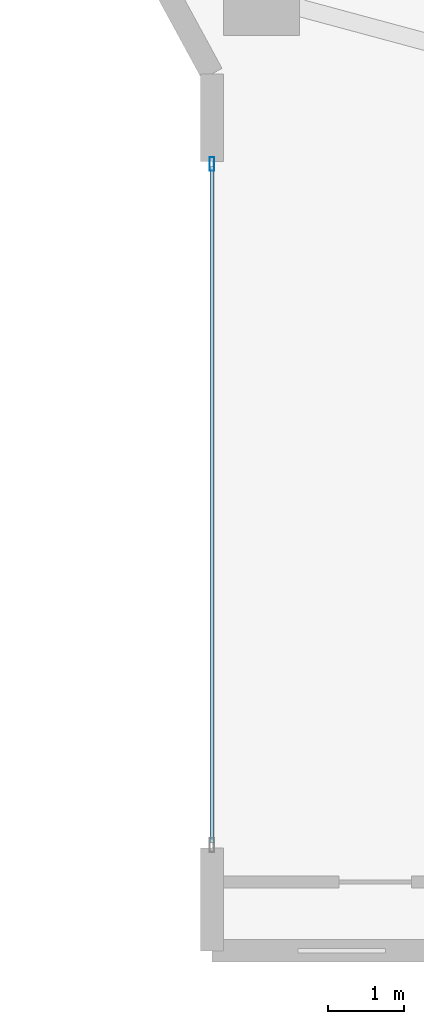
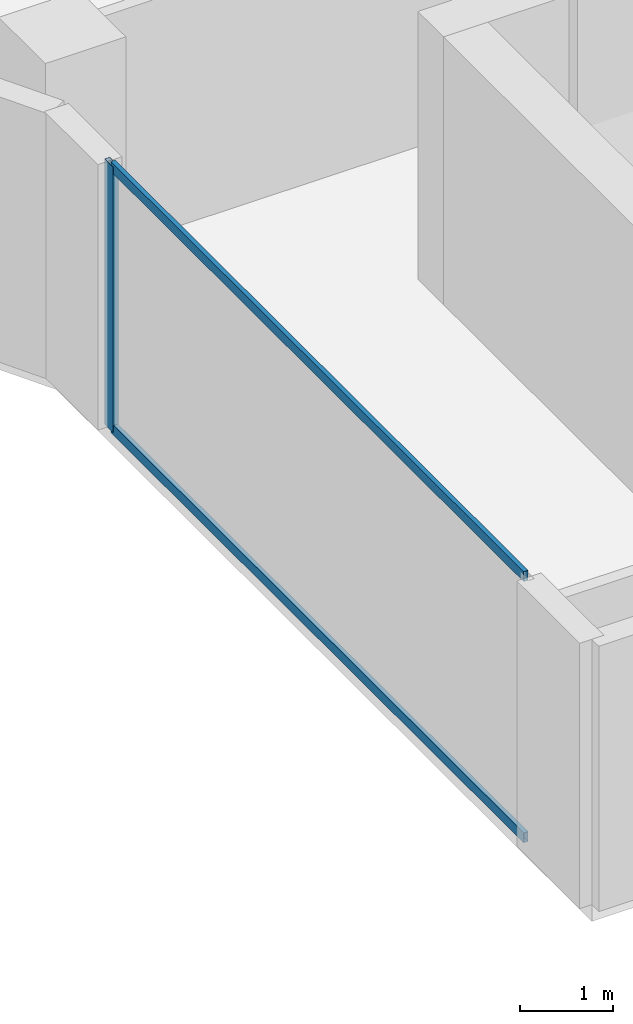
# One storey, part 3 of 24: 3 members, 1 element without a shape of its own.
"""IFC4 building model written with IfcOpenShell, lengths in metres."""

from ifc_helpers import new_model, si_unit, direction, frame, origin, origin_2d, place, context, subcontext, project, spatial, hollow_rectangle, extrude, material, layer, layer_set, material_profile, profile_set, type_object, element, aggregate, save


model = new_model("IFC4")

# Units and contexts
model_context = context("Model", 3, precision=1e-05, world=origin(), true_north=direction((0.0, 1.0)))
body_context = subcontext(model_context, "Body", "Model", "MODEL_VIEW")
ifc_project = project(units=[si_unit("LENGTHUNIT", "METRE"), si_unit("AREAUNIT", "SQUARE_METRE"), si_unit("VOLUMEUNIT", "CUBIC_METRE"), si_unit("PLANEANGLEUNIT", "RADIAN"), si_unit("MASSUNIT", "GRAM", prefix="KILO")], contexts=[model_context])

# Site, building, storey
site_placement = place(None, origin())
site = spatial("IfcSite", under=ifc_project, at=site_placement, CompositionType="ELEMENT")
building_placement = place(site_placement, origin())
building = spatial("IfcBuilding", under=site, at=building_placement, Name="Zuhayl Quay Hotel", CompositionType="ELEMENT")
storey_placement = place(building_placement, frame((0.0, 0.0, 276.64990234375)))
storey = spatial("IfcBuildingStorey", under=building, at=storey_placement, Name="L70", CompositionType="ELEMENT", Elevation=276.64990234375)

# Curtain wall, members
ifc_material_1 = material(Name="Anodised Aluminium 6063-T6", Category="aluminium")
ifc_layer = layer(ifc_material_1, 0.169921875, Name="Anodised Aluminium 6063-T6", Category="aluminium")
ifc_layer_set = layer_set([ifc_layer], Name="Anodised Aluminium 6063-T6")
curtain_wall_type = type_object("IfcCurtainWallType", Name="CW_SYS_Z4", PredefinedType="USERDEFINED", material=ifc_layer_set)
curtain_wall_placement = place(storey_placement, origin())
curtain_wall = element("IfcCurtainWall", 1, at=curtain_wall_placement, inside=storey, type_object=curtain_wall_type, Name="L70 Curtain Wall ENV_L70_E02_CW1", ObjectType="UNITISED CURTAIN WALL", PredefinedType="USERDEFINED")
ifc_material_2 = material(Name="Black-anodised aluminium 6063-T6", Category="aluminium")
ifc_material_profile_1 = material_profile(ifc_material_2, hollow_rectangle(XDim=0.06494140625, YDim=0.179931640625, WallThickness=0.00341796875, at=origin_2d()), Name="ALU180X65")
ifc_profile_set_1 = profile_set([ifc_material_profile_1], Name="Black-anodised aluminium 6063-T6")
member_type_1 = type_object("IfcMemberType", Name="MB_CW_MUL_180", PredefinedType="MULLION", material=ifc_profile_set_1)
member_1_placement = place(storey_placement, frame((-20.199951171875, 13.717529296875, 0.0), z_axis=(0.0, 0.0, 1.0), x_axis=(-1.0, 0.0, 0.0)))
member_1 = element("IfcMember", 2, at=member_1_placement, type_object=member_type_1, Name="CW-Z4 mullion 2", PredefinedType="MULLION", context=body_context, shape_type="SweptSolid", body=[
    extrude(hollow_rectangle(XDim=0.06494140625, YDim=0.179931640625, WallThickness=0.00341796875, at=origin_2d()), origin(), (0.0, 0.0, 1.0), 3.47998046875),
])
ifc_material_profile_2 = material_profile(ifc_material_2, hollow_rectangle(XDim=0.054931640625, YDim=0.1298828125, WallThickness=0.0029296875, at=origin_2d()), Name="ALU130X55")
ifc_profile_set_2 = profile_set([ifc_material_profile_2], Name="Black-anodised aluminium 6063-T6")
member_type_2 = type_object("IfcMemberType", Name="MB_CW_TRN_130", PredefinedType="USERDEFINED", material=ifc_profile_set_2)
member_2_placement = place(storey_placement, frame((-20.199951171875, 4.81494140625, 0.027587890625), z_axis=(0.0, 1.0, 0.0), x_axis=(-1.0, 0.0, 0.0)))
member_2 = element("IfcMember", 3, at=member_2_placement, type_object=member_type_2, Name="CW-Z4 transom 1.1", ObjectType="TRANSOM", PredefinedType="USERDEFINED", context=body_context, shape_type="SweptSolid", body=[
    extrude(hollow_rectangle(XDim=0.054931640625, YDim=0.1298828125, WallThickness=0.0029296875, at=origin_2d()), origin(), (0.0, 0.0, 1.0), 8.8701171875),
])
member_3_placement = place(storey_placement, frame((-20.199951171875, 4.81494140625, 3.45263671875), z_axis=(0.0, 1.0, 0.0), x_axis=(-1.0, 0.0, 0.0)))
member_3 = element("IfcMember", 4, at=member_3_placement, type_object=member_type_2, Name="CW-Z4 transom 1.2", ObjectType="TRANSOM", PredefinedType="USERDEFINED", context=body_context, shape_type="SweptSolid", body=[
    extrude(hollow_rectangle(XDim=0.054931640625, YDim=0.1298828125, WallThickness=0.0029296875, at=origin_2d()), origin(), (0.0, 0.0, 1.0), 8.8701171875),
])
aggregate(curtain_wall, [member_1, member_2, member_3])

save(model, "model.ifc")
